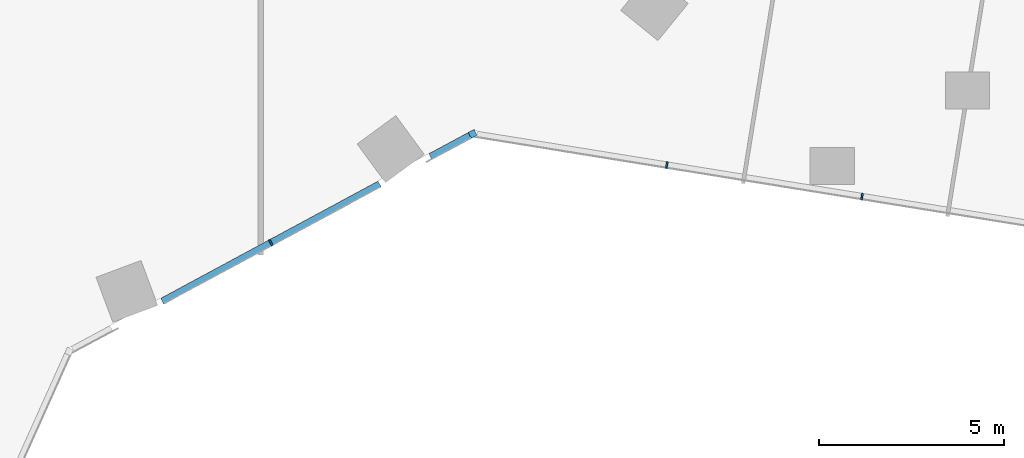
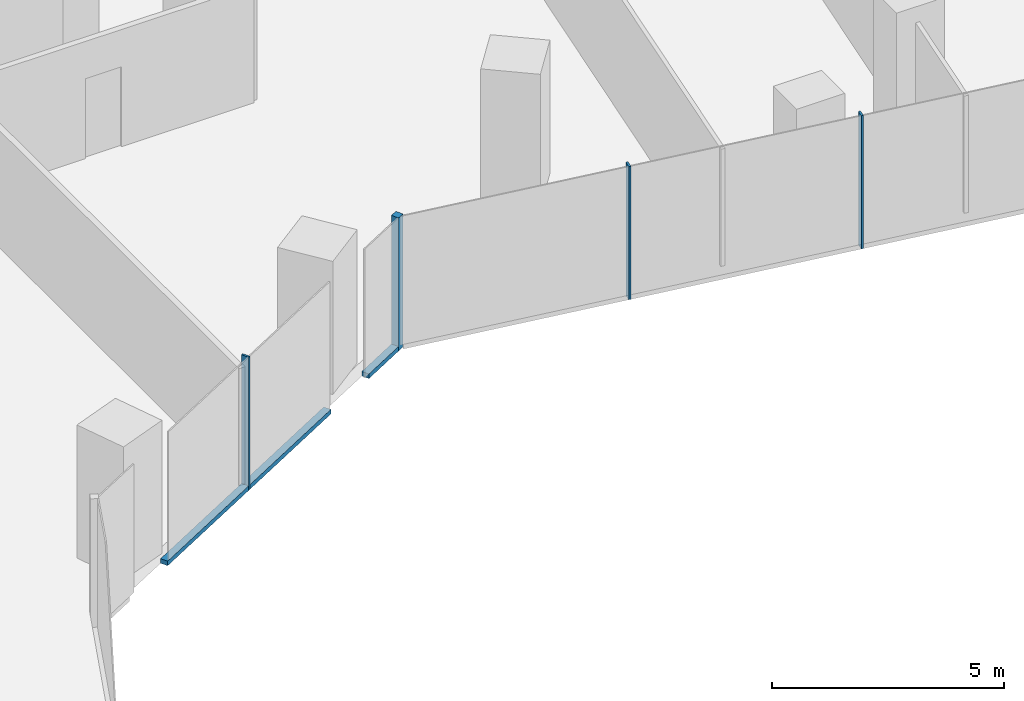
# One storey, part 8 of 34: 6 members, 2 elements without a shape of their own.
"""IFC4 building model written with IfcOpenShell, lengths in metres."""

import ifcopenshell
import ifcopenshell.guid

model = None  # the IFC model being written
_history = None  # IfcOwnerHistory: only IFC2X3 demands one
_inside = {}  # id of a spatial element -> (the spatial element, [elements in it])
_under = {}  # id of a project, library or spatial element -> (it, [spatial elements below it])
_declared = {}  # id of a project -> (the project, [libraries it declares])
_typed = {}  # id of a type object -> (the type object, [elements of that type])
_made_of = {}  # id of a material, layer set ... -> (it, [elements and type objects made of it])


def new_model(schema):
    """Start an empty IFC model of exactly this schema.

    Asked for "IFC4X3", IfcOpenShell would pick the latest addendum, in which some entities
    have other attributes; the version numbers below select the first issue.
    IFC2X3 requires an IfcOwnerHistory on every rooted entity: one is made here for all.
    """
    global model, _history
    if schema == "IFC4X3":
        model = ifcopenshell.file(schema_version=(4, 3, 0, 0))
    else:
        model = ifcopenshell.file(schema=schema)
    _inside.clear()
    _under.clear()
    _declared.clear()
    _typed.clear()
    _made_of.clear()
    _history = None
    if model.schema == "IFC2X3":
        org = make("IfcOrganization", Name="unknown")
        user = make(
            "IfcPersonAndOrganization",
            ThePerson=make("IfcPerson", FamilyName="unknown"),
            TheOrganization=org,
        )
        app = make(
            "IfcApplication",
            ApplicationDeveloper=org,
            Version="unknown",
            ApplicationFullName="unknown",
            ApplicationIdentifier="unknown",
        )
        _history = make(
            "IfcOwnerHistory",
            OwningUser=user,
            OwningApplication=app,
            ChangeAction="ADDED",
            CreationDate=0,
        )
    return model


def make(cls, **values):
    """One entity of the class cls with the attributes given. An attribute that is None is left unset."""
    return model.create_entity(
        cls, **{name: value for name, value in values.items() if value is not None}
    )


def rooted(cls, **values):
    """An entity with a GlobalId (a new one), such as an element, a storey or a relation."""
    return make(cls, GlobalId=ifcopenshell.guid.new(), OwnerHistory=_history, **values)


def si_unit(unit_type, name, prefix=None):
    """IfcSIUnit, for example si_unit("LENGTHUNIT", "METRE", prefix="MILLI")."""
    return make("IfcSIUnit", UnitType=unit_type, Prefix=prefix, Name=name)


def assignment(units):
    """IfcUnitAssignment: the units of a project."""
    return None if units is None else make("IfcUnitAssignment", Units=units)


def point(xyz):
    """IfcCartesianPoint."""
    return None if xyz is None else make("IfcCartesianPoint", Coordinates=xyz)


def direction(xyz):
    """IfcDirection."""
    return None if xyz is None else make("IfcDirection", DirectionRatios=xyz)


def frame(location, z_axis=None, x_axis=None):
    """IfcAxis2Placement3D, a coordinate frame: its origin and axes. An axis left out is left unset."""
    return make(
        "IfcAxis2Placement3D",
        Location=point(location),
        Axis=direction(z_axis),
        RefDirection=direction(x_axis),
    )


def frame_2d(location, x_axis=None):
    """IfcAxis2Placement2D, a coordinate frame in the plane: its origin and x axis."""
    return make(
        "IfcAxis2Placement2D", Location=point(location), RefDirection=direction(x_axis)
    )


def origin():
    """The frame at (0, 0, 0) with its axes left unset."""
    return frame((0.0, 0.0, 0.0))


def origin_2d():
    """The frame at (0, 0) in the plane with its x axis left unset."""
    return frame_2d((0.0, 0.0))


def place(relative_to, where):
    """IfcLocalPlacement: puts the frame where relative to a parent placement (None: the world)."""
    return make(
        "IfcLocalPlacement", PlacementRelTo=relative_to, RelativePlacement=where
    )


def context(
    kind, dimensions, precision=None, world=None, true_north=None, identifier=None
):
    """IfcGeometricRepresentationContext, for example the 3D "Model" context."""
    return make(
        "IfcGeometricRepresentationContext",
        ContextIdentifier=identifier,
        ContextType=kind,
        CoordinateSpaceDimension=dimensions,
        Precision=precision,
        WorldCoordinateSystem=world,
        TrueNorth=true_north,
    )


def subcontext(parent, identifier, kind, view, scale=None):
    """IfcGeometricRepresentationSubContext, for example "Body" below "Model"."""
    return make(
        "IfcGeometricRepresentationSubContext",
        ContextIdentifier=identifier,
        ContextType=kind,
        ParentContext=parent,
        TargetScale=scale,
        TargetView=view,
    )


def project(units=None, contexts=None):
    """IfcProject with its units and contexts."""
    return rooted(
        "IfcProject",
        Name="project",
        RepresentationContexts=contexts,
        UnitsInContext=assignment(units),
    )


def spatial(cls, under=None, at=None, **own):
    """A site, building, storey or space (cls), placed at a placement, below another one or the project."""
    s = rooted(cls, ObjectPlacement=at, **own)
    if under is not None:
        _under.setdefault(under.id(), (under, []))[1].append(s)
    return s


def profile(cls, at=None, kind="AREA", **sizes):
    """A parametric profile (cls). Its sizes go by their IFC names, for example OverallWidth=200.0."""
    return make(cls, ProfileType=kind, Position=at, **sizes)


def rectangle(**sizes):
    """IfcRectangleProfileDef."""
    return profile("IfcRectangleProfileDef", **sizes)


def extrude(swept, where, along, depth):
    """IfcExtrudedAreaSolid: the profile swept, set in the frame where, extruded along a direction by depth."""
    return make(
        "IfcExtrudedAreaSolid",
        SweptArea=swept,
        Position=where,
        ExtrudedDirection=direction(along),
        Depth=depth,
    )


def shape(context_of_items, identifier, shape_type, items):
    """IfcShapeRepresentation: the items that make up one representation, for example the "Body"."""
    return make(
        "IfcShapeRepresentation",
        ContextOfItems=context_of_items,
        RepresentationIdentifier=identifier,
        RepresentationType=shape_type,
        Items=items,
    )


def material(Name=None, Category=None):
    """IfcMaterial."""
    return make("IfcMaterial", Name=Name, Category=Category)


def material_profile(
    of_material, cross_section, Name=None, Category=None, Priority=None
):
    """IfcMaterialProfile: a cross section and its material."""
    return make(
        "IfcMaterialProfile",
        Name=Name,
        Material=of_material,
        Profile=cross_section,
        Priority=Priority,
        Category=Category,
    )


def profile_set(profiles, Name=None, composite=None):
    """IfcMaterialProfileSet."""
    return make(
        "IfcMaterialProfileSet",
        Name=Name,
        MaterialProfiles=profiles,
        CompositeProfile=composite,
    )


def made_of(thing, what):
    """Note that an element or type object is made of a material, layer set ...; save() writes the relation."""
    if what is not None:
        _made_of.setdefault(what.id(), (what, []))[1].append(thing)
    return thing


def type_object(cls, material=None, **own):
    """A type object (cls), such as IfcWallType, which elements share."""
    return made_of(rooted(cls, **own), material)


def element(
    cls,
    number,
    at=None,
    inside=None,
    cuts=None,
    type_object=None,
    material=None,
    context=None,
    identifier="Body",
    shape_type=None,
    held_by="IfcProductDefinitionShape",
    body=None,
    shapes=None,
    **own,
):
    """One element of the class cls, such as IfcWall. Its Tag is "e" and its number.

    at: its placement. inside: the storey or other place that contains it. cuts: it is an
    opening in that element (IfcRelVoidsElement). A single representation is given by context,
    identifier, shape_type and body (its items); several are given by shapes. held_by: the class
    of the entity that holds the representations. save() writes the other relations.
    """
    e = rooted(cls, Tag="e%d" % number, ObjectPlacement=at, **own)
    if body is not None:
        shapes = [shape(context, identifier, shape_type, body)]
    if shapes is not None:
        e.Representation = make(held_by, Representations=shapes)
    if inside is not None:
        _inside.setdefault(inside.id(), (inside, []))[1].append(e)
    if cuts is not None:
        rooted(
            "IfcRelVoidsElement", RelatingBuildingElement=cuts, RelatedOpeningElement=e
        )
    if type_object is not None:
        _typed.setdefault(type_object.id(), (type_object, []))[1].append(e)
    return made_of(e, material)


def aggregate(whole, parts):
    """IfcRelAggregates: a whole, such as a stair, and the parts it consists of."""
    return rooted("IfcRelAggregates", RelatingObject=whole, RelatedObjects=parts)


def save(model, path):
    """Write the relations noted so far, then the file.

    IfcRelAggregates (storeys below a building ...), IfcRelContainedInSpatialStructure (elements
    in a storey), IfcRelDefinesByType, IfcRelAssociatesMaterial and IfcRelDeclares: one each for
    every whole, place, type object, material and project.
    """
    for whole, parts in _under.values():
        aggregate(whole, parts)
    for where, things in _inside.values():
        rooted(
            "IfcRelContainedInSpatialStructure",
            RelatedElements=things,
            RelatingStructure=where,
        )
    for kind, things in _typed.values():
        rooted("IfcRelDefinesByType", RelatedObjects=things, RelatingType=kind)
    for what, things in _made_of.values():
        rooted("IfcRelAssociatesMaterial", RelatedObjects=things, RelatingMaterial=what)
    for by, libraries in _declared.values():
        rooted("IfcRelDeclares", RelatingContext=by, RelatedDefinitions=libraries)
    model.write(path)


model = new_model("IFC4")

# Units and contexts
model_context = context("Model", 3, precision=1e-05, world=origin(), true_north=direction((0.0, 1.0)))
body_context = subcontext(model_context, "Body", "Model", "MODEL_VIEW")
ifc_project = project(units=[si_unit("LENGTHUNIT", "METRE"), si_unit("AREAUNIT", "SQUARE_METRE"), si_unit("VOLUMEUNIT", "CUBIC_METRE"), si_unit("PLANEANGLEUNIT", "RADIAN"), si_unit("MASSUNIT", "GRAM", prefix="KILO")], contexts=[model_context])

# Site, building, storey
site_placement = place(None, origin())
site = spatial("IfcSite", under=ifc_project, at=site_placement, CompositionType="ELEMENT")
building_placement = place(site_placement, origin())
building = spatial("IfcBuilding", under=site, at=building_placement, Name="Orlundy Tower", CompositionType="ELEMENT")
storey_placement = place(building_placement, frame((0.0, 0.0, 127.199951171875)))
storey = spatial("IfcBuildingStorey", under=building, at=storey_placement, Name="L32", CompositionType="ELEMENT", Elevation=127.199951171875)

# Curtain wall, member
ifc_material_1 = material(Name="Aluminium bronze anodised", Category="aluminium")
curtain_wall_type = type_object("IfcCurtainWallType", Name="CW1 wall", PredefinedType="NOTDEFINED", material=ifc_material_1)
curtain_wall_1_placement = place(storey_placement, origin())
curtain_wall_1 = element("IfcCurtainWall", 1, at=curtain_wall_1_placement, inside=storey, type_object=curtain_wall_type, Name="CW1 run 017", PredefinedType="NOTDEFINED")
ifc_material_2 = material(Name="Aluminium bronze anodised", Category="aluminium")
ifc_material_profile_1 = material_profile(ifc_material_2, rectangle(XDim=0.179931640625, YDim=0.179931640625, at=origin_2d()), Name="CW1 corner post 180x180")
ifc_profile_set_1 = profile_set([ifc_material_profile_1], Name="Aluminium bronze anodised")
member_type_1 = type_object("IfcMemberType", Name="CW1 corner post 180x180", PredefinedType="MULLION", material=ifc_profile_set_1)
member_1_placement = place(storey_placement, frame((19.748779296875, -23.53662109375, -0.39990234375), z_axis=(0.0, 0.0, 1.0), x_axis=(0.474615553081, -0.88019320423, 0.0)))
member_1 = element("IfcMember", 2, at=member_1_placement, type_object=member_type_1, Name="CW1 mullion 49", PredefinedType="MULLION", context=body_context, shape_type="SweptSolid", body=[
    extrude(rectangle(XDim=0.179931640625, YDim=0.179931640625, at=origin_2d()), origin(), (0.0, 0.0, 1.0), 3.5),
])

# Curtain wall, members
curtain_wall_2_placement = place(storey_placement, origin())
curtain_wall_2 = element("IfcCurtainWall", 3, at=curtain_wall_2_placement, inside=storey, type_object=curtain_wall_type, Name="CW1 run 016", PredefinedType="NOTDEFINED")
ifc_material_3 = material(Name="Aluminium bronze anodised", Category="aluminium")
ifc_material_profile_2 = material_profile(ifc_material_3, rectangle(XDim=0.179931640625, YDim=0.050048828125, at=origin_2d()), Name="CW1 mullion 50x180")
ifc_profile_set_2 = profile_set([ifc_material_profile_2], Name="Aluminium bronze anodised")
member_type_2 = type_object("IfcMemberType", Name="CW1 mullion 50x180", PredefinedType="MULLION", material=ifc_profile_set_2)
member_2_placement = place(storey_placement, frame((30.29541015625, -25.23876953125, -0.39990234375), z_axis=(0.0, 0.0, 1.0), x_axis=(-0.159311085453, -0.987228432558, 0.0)))
member_2 = element("IfcMember", 4, at=member_2_placement, type_object=member_type_2, Name="CW1 mullion 47", PredefinedType="MULLION", context=body_context, shape_type="SweptSolid", body=[
    extrude(rectangle(XDim=0.179931640625, YDim=0.050048828125, at=origin_2d()), origin(), (0.0, 0.0, 1.0), 3.5),
])
member_3_placement = place(storey_placement, frame((25.007080078125, -24.38525390625, -0.39990234375), z_axis=(0.0, 0.0, 1.0), x_axis=(-0.159311085453, -0.987228432558, 0.0)))
member_3 = element("IfcMember", 5, at=member_3_placement, type_object=member_type_2, Name="CW1 mullion 48", PredefinedType="MULLION", context=body_context, shape_type="SweptSolid", body=[
    extrude(rectangle(XDim=0.179931640625, YDim=0.050048828125, at=origin_2d()), origin(), (0.0, 0.0, 1.0), 3.5),
])
aggregate(curtain_wall_2, [member_2, member_3])

# Member
member_4_placement = place(storey_placement, frame((14.28076171875, -26.485107421875, -0.39990234375), z_axis=(0.0, 0.0, 1.0), x_axis=(0.474615553081, -0.88019320423, 0.0)))
member_4 = element("IfcMember", 6, at=member_4_placement, type_object=member_type_2, Name="CW1 mullion 50", PredefinedType="MULLION", context=body_context, shape_type="SweptSolid", body=[
    extrude(rectangle(XDim=0.179931640625, YDim=0.050048828125, at=origin_2d()), origin(), (0.0, 0.0, 1.0), 3.5),
])

ifc_material_4 = material(Name="Aluminium bronze anodised", Category="aluminium")
ifc_material_profile_3 = material_profile(ifc_material_4, rectangle(XDim=0.179931640625, YDim=0.1201171875, at=origin_2d()), Name="CW1 transom 180x120")
ifc_profile_set_3 = profile_set([ifc_material_profile_3], Name="Aluminium bronze anodised")
member_type_3 = type_object("IfcMemberType", Name="CW1 transom 180x120", PredefinedType="USERDEFINED", material=ifc_profile_set_3)
member_5_placement = place(storey_placement, frame((19.669677734375, -23.579345703125, -0.33984375), z_axis=(-0.880206214276, -0.474591424649, 0.0), x_axis=(0.474591424649, -0.880206214276, 0.0)))
member_5 = element("IfcMember", 7, at=member_5_placement, type_object=member_type_3, Name="CW1 transom", ObjectType="TRANSOM", PredefinedType="USERDEFINED", context=body_context, shape_type="SweptSolid", body=[
    extrude(rectangle(XDim=0.179931640625, YDim=0.1201171875, at=origin_2d()), origin(), (0.0, 0.0, 1.0), 1.214111328125),
])

member_6_placement = place(storey_placement, frame((17.226806640625, -24.896728515625, -0.33984375), z_axis=(-0.880200432589, -0.474602147563, 0.0), x_axis=(0.474602147563, -0.880200432589, 0.0)))
member_6 = element("IfcMember", 8, at=member_6_placement, type_object=member_type_3, Name="CW1 transom", ObjectType="TRANSOM", PredefinedType="USERDEFINED", context=body_context, shape_type="SweptSolid", body=[
    extrude(rectangle(XDim=0.179931640625, YDim=0.1201171875, at=origin_2d()), origin(), (0.0, 0.0, 1.0), 6.694091796875),
])

aggregate(curtain_wall_1, [member_1, member_4, member_5, member_6])

save(model, "model.ifc")
